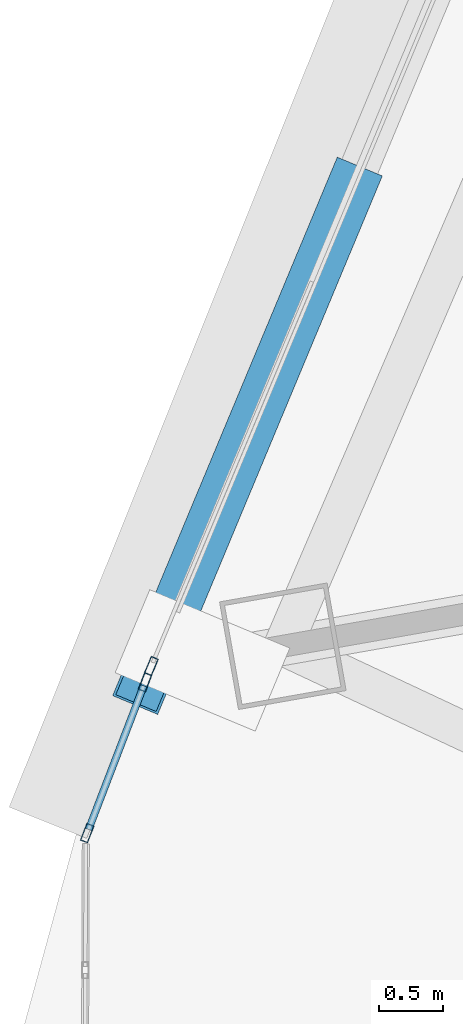
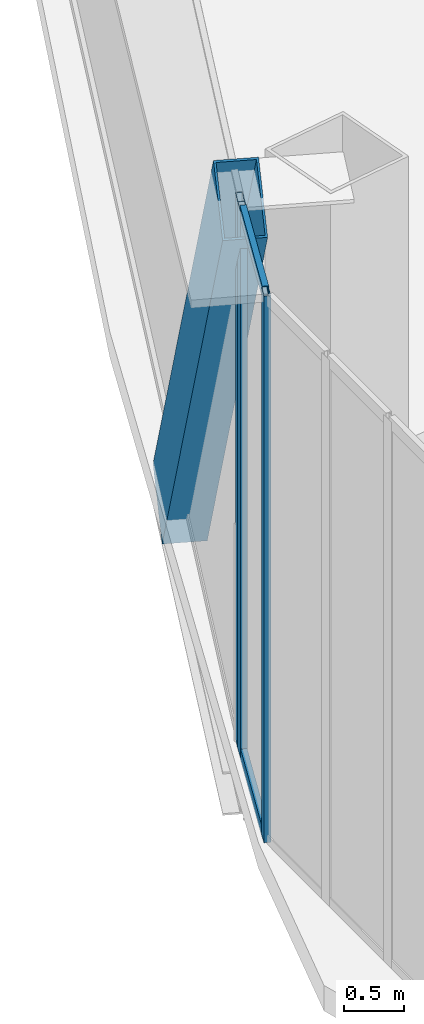
# One storey, part 4 of 38: 6 members, 2 elements without a shape of their own.
"""IFC4 building model written with IfcOpenShell, lengths in metres."""

from ifc_helpers import new_model, si_unit, direction, frame, origin, origin_2d, place, context, subcontext, project, spatial, hollow_rectangle, extrude, source, transform, mapped, material, layer, layer_set, material_profile, profile_set, type_object, element, aggregate, save


model = new_model("IFC4")

# Units and contexts
model_context = context("Model", 3, precision=1e-05, world=origin(), true_north=direction((0.0, 1.0)))
body_context = subcontext(model_context, "Body", "Model", "MODEL_VIEW")
ifc_project = project(units=[si_unit("LENGTHUNIT", "METRE"), si_unit("AREAUNIT", "SQUARE_METRE"), si_unit("VOLUMEUNIT", "CUBIC_METRE"), si_unit("PLANEANGLEUNIT", "RADIAN"), si_unit("MASSUNIT", "GRAM", prefix="KILO"), si_unit("THERMODYNAMICTEMPERATUREUNIT", "KELVIN"), si_unit("POWERUNIT", "WATT")], contexts=[model_context])

# Site, building, storey
site_placement = place(None, origin())
site = spatial("IfcSite", under=ifc_project, at=site_placement, CompositionType="ELEMENT")
building_placement = place(site_placement, origin())
building = spatial("IfcBuilding", under=site, at=building_placement, Name="Yunzhuo Pagoda Commons", CompositionType="ELEMENT")
storey_placement = place(building_placement, frame((0.0, 0.0, 266.909912109375)))
storey = spatial("IfcBuildingStorey", under=building, at=storey_placement, Name="L67", CompositionType="ELEMENT", Elevation=266.909912109375)

# Member
ifc_material_1 = material(Name="Structural steel Q355B", Category="steel")
ifc_material_profile_1 = material_profile(ifc_material_1, hollow_rectangle(XDim=0.3798828125, YDim=0.719970703125, WallThickness=0.02001953125, at=origin_2d()), Name="Structural steel Q355B")
ifc_profile_set_1 = profile_set([ifc_material_profile_1], Name="Structural steel Q355B")
member_type_1 = type_object("IfcMemberType", Name="M-DL3 Brace BOX 720x380x20", PredefinedType="BRACE", material=ifc_profile_set_1)
shared_shape_1 = source(origin(), body_context, "Body", "SweptSolid", [
    extrude(hollow_rectangle(XDim=0.3798828125, YDim=0.719970703125, WallThickness=0.02001953125, at=origin_2d()), origin(), (0.0, 0.0, 1.0), 7.037841796875),
])
member_1_placement = place(storey_placement, frame((16.5498046875, 31.52490234375, -0.260009765625), z_axis=(-0.215662375006, -0.516937544209, 0.828411320175), x_axis=(0.922904594731, -0.385028711948, 0.0)))
element("IfcMember", 1, at=member_1_placement, inside=storey, type_object=member_type_1, Name="L67 facade diamond brace F3.3R", PredefinedType="BRACE", context=body_context, shape_type="MappedRepresentation", body=[
    mapped(shared_shape_1, transform((0.0, 0.0, 0.0), scale=1.0)),
])

# Curtain wall, members
ifc_material_2 = material(Name="Anodized aluminium 6063-T6", Category="aluminium")
ifc_layer = layer(ifc_material_2, 0.139892578125)
ifc_layer_set = layer_set([ifc_layer], Name="Anodized aluminium 6063-T6")
curtain_wall_type = type_object("IfcCurtainWallType", Name="CW-HI High-Zone Ribbon Curtain Wall", PredefinedType="NOTDEFINED", material=ifc_layer_set)
curtain_wall_1_placement = place(storey_placement, origin())
curtain_wall_1 = element("IfcCurtainWall", 2, at=curtain_wall_1_placement, inside=storey, type_object=curtain_wall_type, Name="L67 curtain wall CW-L67-F3B5", PredefinedType="NOTDEFINED")
ifc_material_profile_2 = material_profile(ifc_material_2, hollow_rectangle(XDim=0.054931640625, YDim=0.1201171875, WallThickness=0.00341796875, at=origin_2d()), Name="Anodized aluminium 6063-T6")
ifc_profile_set_2 = profile_set([ifc_material_profile_2], Name="Anodized aluminium 6063-T6")
member_type_2 = type_object("IfcMemberType", Name="CW-HI-T Transom RHS 120x55x3.5", PredefinedType="USERDEFINED", material=ifc_profile_set_2)
shared_shape_2 = source(origin(), body_context, "Body", "SweptSolid", [
    extrude(hollow_rectangle(XDim=0.054931640625, YDim=0.1201171875, WallThickness=0.00341796875, at=origin_2d()), origin(), (0.0, 0.0, 1.0), 1.1962890625),
])
member_2_placement = place(storey_placement, frame((14.9833984375, 27.7607421875, 0.027587890625), z_axis=(-0.357980497641, -0.933729063117, 0.0), x_axis=(0.933729063117, -0.357980497641, 0.0)))
member_2 = element("IfcMember", 3, at=member_2_placement, type_object=member_type_2, Name="CW transom 1.1", ObjectType="TRANSOM", PredefinedType="USERDEFINED", context=body_context, shape_type="MappedRepresentation", body=[
    mapped(shared_shape_2, transform((0.0, 0.0, 0.0), scale=1.0)),
])
member_3_placement = place(storey_placement, frame((14.9833984375, 27.7607421875, 5.54248046875), z_axis=(-0.357980497641, -0.933729063117, 0.0), x_axis=(0.933729063117, -0.357980497641, 0.0)))
member_3 = element("IfcMember", 4, at=member_3_placement, type_object=member_type_2, Name="CW transom 1.2", ObjectType="TRANSOM", PredefinedType="USERDEFINED", context=body_context, shape_type="MappedRepresentation", body=[
    mapped(shared_shape_2, transform((0.0, 0.0, 0.0), scale=1.0)),
])

# Curtain wall, member
curtain_wall_2_placement = place(storey_placement, origin())
curtain_wall_2 = element("IfcCurtainWall", 5, at=curtain_wall_2_placement, inside=storey, type_object=curtain_wall_type, Name="L67 curtain wall CW-L67-F3B4", PredefinedType="NOTDEFINED")
ifc_material_profile_3 = material_profile(ifc_material_2, hollow_rectangle(XDim=0.06005859375, YDim=0.139892578125, WallThickness=0.00341796875, at=origin_2d()), Name="Anodized aluminium 6063-T6")
ifc_profile_set_3 = profile_set([ifc_material_profile_3], Name="Anodized aluminium 6063-T6")
member_type_3 = type_object("IfcMemberType", Name="CW-HI-M Mullion RHS 140x60x3.5", PredefinedType="MULLION", material=ifc_profile_set_3)
shared_shape_3 = source(origin(), body_context, "Body", "SweptSolid", [
    extrude(hollow_rectangle(XDim=0.06005859375, YDim=0.139892578125, WallThickness=0.00341796875, at=origin_2d()), origin(), (0.0, 0.0, 1.0), 5.5703125),
])
member_4_placement = place(storey_placement, frame((15.04345703125, 27.91455078125, 0.0), z_axis=(0.0, 0.0, 1.0), x_axis=(0.922909845486, -0.385016125772, 0.0)))
member_4 = element("IfcMember", 6, at=member_4_placement, type_object=member_type_3, Name="CW mullion 2", PredefinedType="MULLION", context=body_context, shape_type="MappedRepresentation", body=[
    mapped(shared_shape_3, transform((0.0, 0.0, 0.0), scale=1.0)),
])
aggregate(curtain_wall_2, [member_4])

# Member
member_5_placement = place(storey_placement, frame((14.994140625, 27.788818359375, 0.0), z_axis=(0.0, 0.0, 1.0), x_axis=(0.933674157634, -0.358123676077, 0.0)))
member_5 = element("IfcMember", 7, at=member_5_placement, type_object=member_type_3, Name="CW mullion 1", PredefinedType="MULLION", context=body_context, shape_type="MappedRepresentation", body=[
    mapped(shared_shape_3, transform((0.0, 0.0, 0.0), scale=1.0)),
])

member_6_placement = place(storey_placement, frame((14.54443359375, 26.61572265625, 0.0), z_axis=(0.0, 0.0, 1.0), x_axis=(0.933674157634, -0.358123676077, 0.0)))
member_6 = element("IfcMember", 8, at=member_6_placement, type_object=member_type_3, Name="CW mullion 2", PredefinedType="MULLION", context=body_context, shape_type="MappedRepresentation", body=[
    mapped(shared_shape_3, transform((0.0, 0.0, 0.0), scale=1.0)),
])

aggregate(curtain_wall_1, [member_5, member_6, member_2, member_3])

save(model, "model.ifc")
